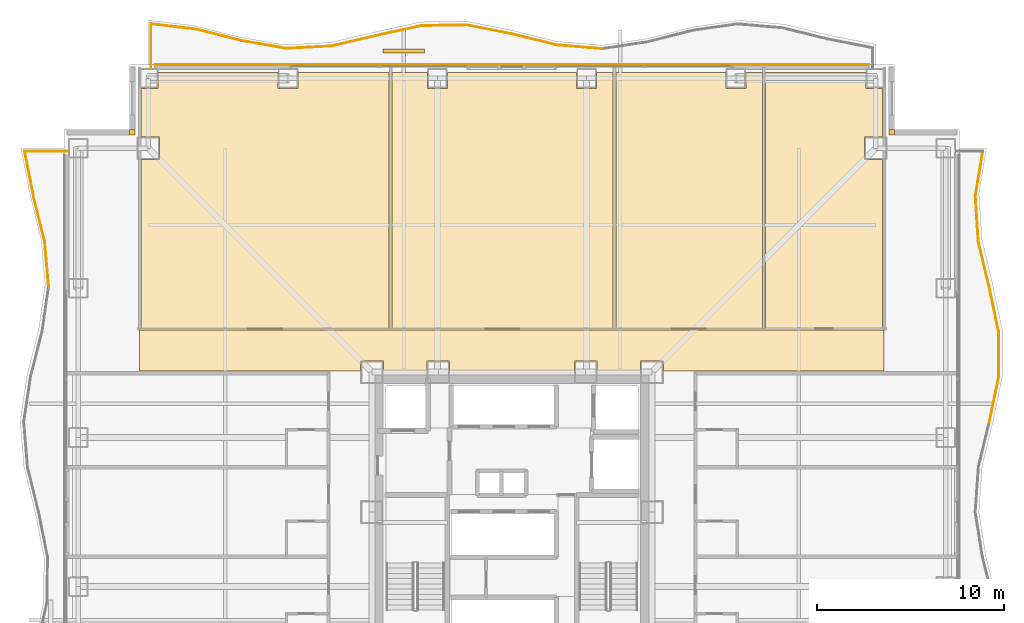
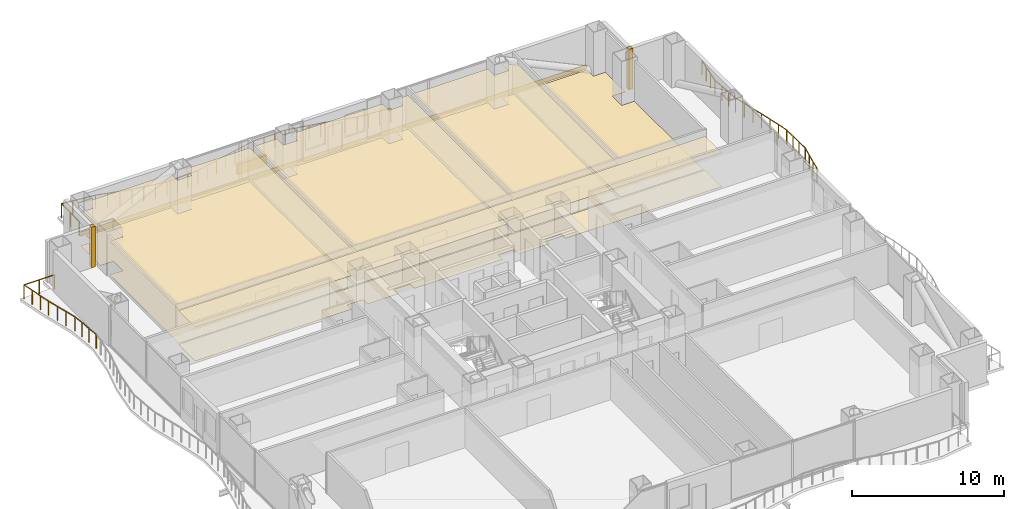
# One storey, part 23 of 24: 21 railings, 12 coverings, 1 shading device.
"""IFC4 building model written with IfcOpenShell, lengths in metres."""

from ifc_helpers import new_model, si_unit, direction, frame, frame_2d, origin, origin_2d, place, context, subcontext, project, spatial, polyline, rectangle, circle, outline, extrude, material, layer, layer_set, type_object, element, save


model = new_model("IFC4")

# Units and contexts
model_context = context("Model", 3, precision=1e-05, world=origin(), true_north=direction((0.0, 1.0)))
body_context = subcontext(model_context, "Body", "Model", "MODEL_VIEW")
ifc_project = project(units=[si_unit("LENGTHUNIT", "METRE"), si_unit("AREAUNIT", "SQUARE_METRE"), si_unit("VOLUMEUNIT", "CUBIC_METRE"), si_unit("PLANEANGLEUNIT", "RADIAN"), si_unit("MASSUNIT", "GRAM", prefix="KILO")], contexts=[model_context])

# Site, building, storey
site_placement = place(None, origin())
site = spatial("IfcSite", under=ifc_project, at=site_placement, CompositionType="ELEMENT")
building_placement = place(site_placement, origin())
building = spatial("IfcBuilding", under=site, at=building_placement, Name="Trevonay Congress Spire", CompositionType="ELEMENT")
storey_placement = place(building_placement, frame((0.0, 0.0, 55.0)))
storey = spatial("IfcBuildingStorey", under=building, at=storey_placement, Name="L13", CompositionType="ELEMENT", Elevation=55.0)

# Coverings
ifc_material_1 = material(Name="Acoustic Mineral Fibre Board", Category="gypsum")
ifc_layer_1 = layer(ifc_material_1, 0.02490234375, Name="Acoustic Mineral Fibre Board")
ifc_layer_set_1 = layer_set([ifc_layer_1], Name="Acoustic Mineral Fibre Board")
covering_type_1 = type_object("IfcCoveringType", Name="COV-CEIL-ACOUSTIC", PredefinedType="CEILING", material=ifc_layer_set_1)
covering_1_placement = place(storey_placement, frame((0.0, 0.0, 2.699951171875)))
element("IfcCovering", 1, at=covering_1_placement, inside=storey, type_object=covering_type_1, Name="L13 Hotel Floor Corridor North acoustic suspended ceiling", PredefinedType="CEILING", context=body_context, shape_type="SweptSolid", body=[
    extrude(outline(polyline([(-19.949951171875, 7.550048828125), (-19.949951171875, 9.75), (19.949951171875, 9.75), (19.949951171875, 7.550048828125), (8.110107421875, 7.550048828125), (8.110107421875, 8.110107421875), (6.889892578125, 8.110107421875), (6.889892578125, 7.550048828125), (4.56005859375, 7.550048828125), (4.56005859375, 8.110107421875), (3.340087890625, 8.110107421875), (3.340087890625, 7.550048828125), (-3.340087890625, 7.550048828125), (-3.340087890625, 8.110107421875), (-4.56005859375, 8.110107421875), (-4.56005859375, 7.550048828125), (-6.889892578125, 7.550048828125), (-6.889892578125, 8.110107421875), (-8.110107421875, 8.110107421875), (-8.110107421875, 7.550048828125), (-19.949951171875, 7.550048828125)])), origin(), (0.0, 0.0, 1.0), 0.025146484375),
])
covering_2_placement = place(storey_placement, frame((0.0, 0.0, 2.699951171875)))
element("IfcCovering", 2, at=covering_2_placement, inside=storey, type_object=covering_type_1, Name="L13 Hotel Wellness Fitness Gym acoustic suspended ceiling", PredefinedType="CEILING", context=body_context, shape_type="SweptSolid", body=[
    extrude(outline(polyline([(-6.580078125, 23.550048828125), (-6.580078125, 9.830078125), (-19.8701171875, 9.830078125), (-19.8701171875, 18.889892578125), (-18.889892578125, 18.889892578125), (-18.889892578125, 20.110107421875), (-19.8701171875, 20.110107421875), (-19.8701171875, 22.715087890625), (-18.965087890625, 22.715087890625), (-18.965087890625, 23.550048828125), (-12.534912109375, 23.550048828125), (-12.534912109375, 22.715087890625), (-11.465087890625, 22.715087890625), (-11.465087890625, 23.550048828125), (-6.580078125, 23.550048828125)])), origin(), (0.0, 0.0, 1.0), 0.025146484375),
])
covering_3_placement = place(storey_placement, frame((0.0, 0.0, 2.699951171875)))
element("IfcCovering", 3, at=covering_3_placement, inside=storey, type_object=covering_type_1, Name="L13 Garden Terrace Brasserie Dining acoustic suspended ceiling", PredefinedType="CEILING", context=body_context, shape_type="SweptSolid", body=[
    extrude(outline(polyline([(5.419921875, 23.550048828125), (5.419921875, 9.830078125), (-6.419921875, 9.830078125), (-6.419921875, 23.550048828125), (-4.534912109375, 23.550048828125), (-4.534912109375, 22.715087890625), (-3.465087890625, 22.715087890625), (-3.465087890625, 23.550048828125), (3.465087890625, 23.550048828125), (3.465087890625, 22.715087890625), (4.534912109375, 22.715087890625), (4.534912109375, 23.550048828125), (5.419921875, 23.550048828125)])), origin(), (0.0, 0.0, 1.0), 0.025146484375),
])
covering_4_placement = place(storey_placement, frame((0.0, 0.0, 2.699951171875)))
element("IfcCovering", 4, at=covering_4_placement, inside=storey, type_object=covering_type_1, Name="L13 Brasserie Show Kitchen acoustic suspended ceiling", PredefinedType="CEILING", context=body_context, shape_type="SweptSolid", body=[
    extrude(outline(polyline([(13.419921875, 23.550048828125), (13.419921875, 9.830078125), (5.580078125, 9.830078125), (5.580078125, 23.550048828125), (11.465087890625, 23.550048828125), (11.465087890625, 22.715087890625), (12.534912109375, 22.715087890625), (12.534912109375, 23.550048828125), (13.419921875, 23.550048828125)])), origin(), (0.0, 0.0, 1.0), 0.025146484375),
])
ifc_material_2 = material(Name="Polished Granite Floor Tile", Category="masonry")
ifc_layer_2 = layer(ifc_material_2, 0.02001953125, Name="Polished Granite Floor Tile")
ifc_layer_set_2 = layer_set([ifc_layer_2], Name="Polished Granite Floor Tile")
covering_type_2 = type_object("IfcCoveringType", Name="COV-FLOOR-STONE", PredefinedType="FLOORING", material=ifc_layer_set_2)
covering_5_placement = place(storey_placement, origin())
element("IfcCovering", 5, at=covering_5_placement, inside=storey, type_object=covering_type_2, Name="L13 Hotel Floor Corridor North floor finish", PredefinedType="FLOORING", context=body_context, shape_type="SweptSolid", body=[
    extrude(outline(polyline([(-19.949951171875, 7.550048828125), (-19.949951171875, 9.75), (19.949951171875, 9.75), (19.949951171875, 7.550048828125), (8.110107421875, 7.550048828125), (8.110107421875, 8.110107421875), (6.889892578125, 8.110107421875), (6.889892578125, 7.550048828125), (4.56005859375, 7.550048828125), (4.56005859375, 8.110107421875), (3.340087890625, 8.110107421875), (3.340087890625, 7.550048828125), (-3.340087890625, 7.550048828125), (-3.340087890625, 8.110107421875), (-4.56005859375, 8.110107421875), (-4.56005859375, 7.550048828125), (-6.889892578125, 7.550048828125), (-6.889892578125, 8.110107421875), (-8.110107421875, 8.110107421875), (-8.110107421875, 7.550048828125), (-19.949951171875, 7.550048828125)])), origin(), (0.0, 0.0, 1.0), 0.02001953125),
])
covering_6_placement = place(storey_placement, origin())
element("IfcCovering", 6, at=covering_6_placement, inside=storey, type_object=covering_type_2, Name="L13 Garden Terrace Brasserie Dining floor finish", PredefinedType="FLOORING", context=body_context, shape_type="SweptSolid", body=[
    extrude(outline(polyline([(5.419921875, 23.550048828125), (5.419921875, 9.830078125), (-6.419921875, 9.830078125), (-6.419921875, 23.550048828125), (-4.534912109375, 23.550048828125), (-4.534912109375, 22.715087890625), (-3.465087890625, 22.715087890625), (-3.465087890625, 23.550048828125), (3.465087890625, 23.550048828125), (3.465087890625, 22.715087890625), (4.534912109375, 22.715087890625), (4.534912109375, 23.550048828125), (5.419921875, 23.550048828125)])), origin(), (0.0, 0.0, 1.0), 0.02001953125),
])
covering_7_placement = place(storey_placement, origin())
element("IfcCovering", 7, at=covering_7_placement, inside=storey, type_object=covering_type_2, Name="L13 Brasserie Show Kitchen floor finish", PredefinedType="FLOORING", context=body_context, shape_type="SweptSolid", body=[
    extrude(outline(polyline([(13.419921875, 23.550048828125), (13.419921875, 9.830078125), (5.580078125, 9.830078125), (5.580078125, 23.550048828125), (11.465087890625, 23.550048828125), (11.465087890625, 22.715087890625), (12.534912109375, 22.715087890625), (12.534912109375, 23.550048828125), (13.419921875, 23.550048828125)])), origin(), (0.0, 0.0, 1.0), 0.02001953125),
])
covering_8_placement = place(storey_placement, origin())
element("IfcCovering", 8, at=covering_8_placement, inside=storey, type_object=covering_type_2, Name="L13 Housekeeping and Linen Room floor finish", PredefinedType="FLOORING", context=body_context, shape_type="SweptSolid", body=[
    extrude(outline(polyline([(19.8701171875, 9.830078125), (13.580078125, 9.830078125), (13.580078125, 23.550048828125), (18.965087890625, 23.550048828125), (18.965087890625, 22.715087890625), (19.8701171875, 22.715087890625), (19.8701171875, 20.110107421875), (18.889892578125, 20.110107421875), (18.889892578125, 18.889892578125), (19.8701171875, 18.889892578125), (19.8701171875, 9.830078125)])), origin(), (0.0, 0.0, 1.0), 0.02001953125),
])
ifc_material_3 = material(Name="Engineered Oak Flooring", Category="wood")
ifc_layer_3 = layer(ifc_material_3, 0.01806640625, Name="Engineered Oak Flooring")
ifc_layer_set_3 = layer_set([ifc_layer_3], Name="Engineered Oak Flooring")
covering_type_3 = type_object("IfcCoveringType", Name="COV-FLOOR-TIMBER", PredefinedType="FLOORING", material=ifc_layer_set_3)
covering_9_placement = place(storey_placement, origin())
element("IfcCovering", 9, at=covering_9_placement, inside=storey, type_object=covering_type_3, Name="L13 Hotel Wellness Fitness Gym floor finish", PredefinedType="FLOORING", context=body_context, shape_type="SweptSolid", body=[
    extrude(outline(polyline([(-6.580078125, 23.550048828125), (-6.580078125, 9.830078125), (-19.8701171875, 9.830078125), (-19.8701171875, 18.889892578125), (-18.889892578125, 18.889892578125), (-18.889892578125, 20.110107421875), (-19.8701171875, 20.110107421875), (-19.8701171875, 22.715087890625), (-18.965087890625, 22.715087890625), (-18.965087890625, 23.550048828125), (-12.534912109375, 23.550048828125), (-12.534912109375, 22.715087890625), (-11.465087890625, 22.715087890625), (-11.465087890625, 23.550048828125), (-6.580078125, 23.550048828125)])), origin(), (0.0, 0.0, 1.0), 0.01806640625),
])
ifc_material_4 = material(Name="Pale Anodised Aluminium EN AW-6063-T6", Category="aluminium")
ifc_layer_4 = layer(ifc_material_4, 0.0400390625, Name="Pale Anodised Aluminium EN AW-6063-T6")
ifc_layer_set_4 = layer_set([ifc_layer_4], Name="Pale Anodised Aluminium EN AW-6063-T6")
covering_type_4 = type_object("IfcCoveringType", Name="COV-SPANDREL-PALE-METAL", PredefinedType="CLADDING", material=ifc_layer_set_4)
covering_10_placement = place(storey_placement, frame((-19.14990234375, 23.97998046875, -0.239990234375), z_axis=(0.0, 0.0, 1.0), x_axis=(1.0, 0.0, 0.0)))
element("IfcCovering", 10, at=covering_10_placement, inside=storey, type_object=covering_type_4, Name="L13 N pale-metal slab-edge spandrel cladding", PredefinedType="CLADDING", context=body_context, shape_type="SweptSolid", body=[
    extrude(rectangle(XDim=38.2998046875, YDim=0.0400390625, at=frame_2d((19.14990234375, 0.0))), origin(), (0.0, 0.0, 1.0), 0.360107421875),
])
covering_11_placement = place(storey_placement, origin())
element("IfcCovering", 11, at=covering_11_placement, inside=storey, type_object=covering_type_4, Name="L13 NE re-entrant notch corner closure trim", PredefinedType="CLADDING", context=body_context, shape_type="SweptSolid", body=[
    extrude(outline(polyline([(20.199951171875, 20.199951171875), (20.5, 20.199951171875), (20.5, 20.5), (20.199951171875, 20.5), (20.199951171875, 20.199951171875)])), origin(), (0.0, 0.0, 1.0), 3.25),
])
covering_12_placement = place(storey_placement, origin())
element("IfcCovering", 12, at=covering_12_placement, inside=storey, type_object=covering_type_4, Name="L13 NW re-entrant notch corner closure trim", PredefinedType="CLADDING", context=body_context, shape_type="SweptSolid", body=[
    extrude(outline(polyline([(-20.5, 20.199951171875), (-20.199951171875, 20.199951171875), (-20.199951171875, 20.5), (-20.5, 20.5), (-20.5, 20.199951171875)])), origin(), (0.0, 0.0, 1.0), 3.25),
])

# Railings
railing_type = type_object("IfcRailingType", Name="RAL-EXT-GUARD-115", PredefinedType="GUARDRAIL", material=ifc_material_4)
railing_1_placement = place(storey_placement, frame((4.8359375, 24.83203125, 0.0)))
element("IfcRailing", 13, at=railing_1_placement, inside=storey, type_object=railing_type, Name="L13 perimeter safety guard GRD-L13-WAV-N-24", PredefinedType="GUARDRAIL", context=body_context, shape_type="SweptSolid", body=[
    extrude(circle(Radius=0.02392578125, at=origin_2d()), frame((0.0, 0.0, 1.1259765625), z_axis=(-0.996598299087, 0.082412561284, 0.0), x_axis=(-0.082412561284, -0.996598299087, 0.0)), (0.0, 0.0, 1.0), 2.42626953125),
    extrude(circle(Radius=0.02099609375, at=origin_2d()), origin(), (0.0, 0.0, 1.0), 1.101806640625),
    extrude(circle(Radius=0.02099609375, at=origin_2d()), frame((-0.805908203125, 0.066650390625, 0.0)), (0.0, 0.0, 1.0), 1.101806640625),
    extrude(circle(Radius=0.02099609375, at=origin_2d()), frame((-1.612060546875, 0.13330078125, 0.0)), (0.0, 0.0, 1.0), 1.101806640625),
    extrude(circle(Radius=0.02099609375, at=origin_2d()), frame((-2.41796875, 0.199951171875, 0.0)), (0.0, 0.0, 1.0), 1.101806640625),
])
railing_2_placement = place(storey_placement, frame((2.41796875, 25.031982421875, 0.0)))
element("IfcRailing", 14, at=railing_2_placement, inside=storey, type_object=railing_type, Name="L13 perimeter safety guard GRD-L13-WAV-N-25", PredefinedType="GUARDRAIL", context=body_context, shape_type="SweptSolid", body=[
    extrude(circle(Radius=0.02392578125, at=origin_2d()), frame((0.0, 0.0, 1.1259765625), z_axis=(-0.971217264938, 0.238195349004, 0.0), x_axis=(-0.238195349004, -0.971217264938, 0.0)), (0.0, 0.0, 1.0), 2.48974609375),
    extrude(circle(Radius=0.02099609375, at=origin_2d()), origin(), (0.0, 0.0, 1.0), 1.101806640625),
    extrude(circle(Radius=0.02099609375, at=origin_2d()), frame((-0.805908203125, 0.19775390625, 0.0)), (0.0, 0.0, 1.0), 1.101806640625),
    extrude(circle(Radius=0.02099609375, at=origin_2d()), frame((-1.612060546875, 0.395263671875, 0.0)), (0.0, 0.0, 1.0), 1.101806640625),
    extrude(circle(Radius=0.02099609375, at=origin_2d()), frame((-2.41796875, 0.593017578125, 0.0)), (0.0, 0.0, 1.0), 1.101806640625),
])
railing_3_placement = place(storey_placement, frame((0.0, 25.625, 0.0)))
element("IfcRailing", 15, at=railing_3_placement, inside=storey, type_object=railing_type, Name="L13 perimeter safety guard GRD-L13-WAV-N-26", PredefinedType="GUARDRAIL", context=body_context, shape_type="SweptSolid", body=[
    extrude(circle(Radius=0.02392578125, at=origin_2d()), frame((0.0, 0.0, 1.1259765625), z_axis=(-0.980785812595, 0.195087646488, 0.0), x_axis=(-0.195087646488, -0.980785812595, 0.0)), (0.0, 0.0, 1.0), 2.46533203125),
    extrude(circle(Radius=0.02099609375, at=origin_2d()), origin(), (0.0, 0.0, 1.0), 1.101806640625),
    extrude(circle(Radius=0.02099609375, at=origin_2d()), frame((-0.805908203125, 0.160400390625, 0.0)), (0.0, 0.0, 1.0), 1.101806640625),
    extrude(circle(Radius=0.02099609375, at=origin_2d()), frame((-1.612060546875, 0.320556640625, 0.0)), (0.0, 0.0, 1.0), 1.101806640625),
    extrude(circle(Radius=0.02099609375, at=origin_2d()), frame((-2.41796875, 0.48095703125, 0.0)), (0.0, 0.0, 1.0), 1.101806640625),
])
railing_4_placement = place(storey_placement, frame((-2.41796875, 26.10595703125, 0.0)))
element("IfcRailing", 16, at=railing_4_placement, inside=storey, type_object=railing_type, Name="L13 perimeter safety guard GRD-L13-WAV-N-27", PredefinedType="GUARDRAIL", context=body_context, shape_type="SweptSolid", body=[
    extrude(circle(Radius=0.02392578125, at=origin_2d()), frame((0.0, 0.0, 1.1259765625), z_axis=(-0.999883794434, -0.015244593393, 0.0), x_axis=(0.015244593393, -0.999883794434, 0.0)), (0.0, 0.0, 1.0), 2.418212890625),
    extrude(circle(Radius=0.02099609375, at=origin_2d()), origin(), (0.0, 0.0, 1.0), 1.101806640625),
    extrude(circle(Radius=0.02099609375, at=origin_2d()), frame((-0.805908203125, -0.01220703125, 0.0)), (0.0, 0.0, 1.0), 1.101806640625),
    extrude(circle(Radius=0.02099609375, at=origin_2d()), frame((-1.612060546875, -0.024658203125, 0.0)), (0.0, 0.0, 1.0), 1.101806640625),
    extrude(circle(Radius=0.02099609375, at=origin_2d()), frame((-2.41796875, -0.036865234375, 0.0)), (0.0, 0.0, 1.0), 1.101806640625),
])
railing_5_placement = place(storey_placement, frame((-4.8359375, 26.069091796875, 0.0)))
element("IfcRailing", 17, at=railing_5_placement, inside=storey, type_object=railing_type, Name="L13 perimeter safety guard GRD-L13-WAV-N-28", PredefinedType="GUARDRAIL", context=body_context, shape_type="SweptSolid", body=[
    extrude(circle(Radius=0.02392578125, at=origin_2d()), frame((0.0, 0.0, 1.1259765625), z_axis=(-0.977218199153, -0.212237110902, 0.0), x_axis=(0.212237110902, -0.977218199153, 0.0)), (0.0, 0.0, 1.0), 2.474365234375),
    extrude(circle(Radius=0.02099609375, at=origin_2d()), origin(), (0.0, 0.0, 1.0), 1.101806640625),
    extrude(circle(Radius=0.02099609375, at=origin_2d()), frame((-0.805908203125, -0.175048828125, 0.0)), (0.0, 0.0, 1.0), 1.101806640625),
    extrude(circle(Radius=0.02099609375, at=origin_2d()), frame((-1.612060546875, -0.35009765625, 0.0)), (0.0, 0.0, 1.0), 1.101806640625),
    extrude(circle(Radius=0.02099609375, at=origin_2d()), frame((-2.41796875, -0.525146484375, 0.0)), (0.0, 0.0, 1.0), 1.101806640625),
])
railing_6_placement = place(storey_placement, frame((-7.25390625, 25.5439453125, 0.0)))
element("IfcRailing", 18, at=railing_6_placement, inside=storey, type_object=railing_type, Name="L13 perimeter safety guard GRD-L13-WAV-N-29", PredefinedType="GUARDRAIL", context=body_context, shape_type="SweptSolid", body=[
    extrude(circle(Radius=0.02392578125, at=origin_2d()), frame((0.0, 0.0, 1.1259765625), z_axis=(-0.9736050491, -0.228239366382, 0.0), x_axis=(0.228239366382, -0.9736050491, 0.0)), (0.0, 0.0, 1.0), 2.48388671875),
    extrude(circle(Radius=0.02099609375, at=origin_2d()), origin(), (0.0, 0.0, 1.0), 1.101806640625),
    extrude(circle(Radius=0.02099609375, at=origin_2d()), frame((-0.80615234375, -0.18896484375, 0.0)), (0.0, 0.0, 1.0), 1.101806640625),
    extrude(circle(Radius=0.02099609375, at=origin_2d()), frame((-1.612060546875, -0.3779296875, 0.0)), (0.0, 0.0, 1.0), 1.101806640625),
    extrude(circle(Radius=0.02099609375, at=origin_2d()), frame((-2.418212890625, -0.56689453125, 0.0)), (0.0, 0.0, 1.0), 1.101806640625),
])
railing_7_placement = place(storey_placement, frame((-9.672119140625, 24.97705078125, 0.0)))
element("IfcRailing", 19, at=railing_7_placement, inside=storey, type_object=railing_type, Name="L13 perimeter safety guard GRD-L13-WAV-N-30", PredefinedType="GUARDRAIL", context=body_context, shape_type="SweptSolid", body=[
    extrude(circle(Radius=0.02392578125, at=origin_2d()), frame((0.0, 0.0, 1.1259765625), z_axis=(-0.998603307795, -0.05283401992, 0.0), x_axis=(0.05283401992, -0.998603307795, 0.0)), (0.0, 0.0, 1.0), 2.42138671875),
    extrude(circle(Radius=0.02099609375, at=origin_2d()), origin(), (0.0, 0.0, 1.0), 1.101806640625),
    extrude(circle(Radius=0.02099609375, at=origin_2d()), frame((-0.805908203125, -0.042724609375, 0.0)), (0.0, 0.0, 1.0), 1.101806640625),
    extrude(circle(Radius=0.02099609375, at=origin_2d()), frame((-1.612060546875, -0.085205078125, 0.0)), (0.0, 0.0, 1.0), 1.101806640625),
    extrude(circle(Radius=0.02099609375, at=origin_2d()), frame((-2.41796875, -0.1279296875, 0.0)), (0.0, 0.0, 1.0), 1.101806640625),
])
railing_8_placement = place(storey_placement, frame((-12.090087890625, 24.84912109375, 0.0)))
element("IfcRailing", 20, at=railing_8_placement, inside=storey, type_object=railing_type, Name="L13 perimeter safety guard GRD-L13-WAV-N-31", PredefinedType="GUARDRAIL", context=body_context, shape_type="SweptSolid", body=[
    extrude(circle(Radius=0.02392578125, at=origin_2d()), frame((0.0, 0.0, 1.1259765625), z_axis=(-0.985252614073, 0.171106067872, 0.0), x_axis=(-0.171106067872, -0.985252614073, 0.0)), (0.0, 0.0, 1.0), 2.4541015625),
    extrude(circle(Radius=0.02099609375, at=origin_2d()), origin(), (0.0, 0.0, 1.0), 1.101806640625),
    extrude(circle(Radius=0.02099609375, at=origin_2d()), frame((-0.805908203125, 0.139892578125, 0.0)), (0.0, 0.0, 1.0), 1.101806640625),
    extrude(circle(Radius=0.02099609375, at=origin_2d()), frame((-1.612060546875, 0.280029296875, 0.0)), (0.0, 0.0, 1.0), 1.101806640625),
    extrude(circle(Radius=0.02099609375, at=origin_2d()), frame((-2.41796875, 0.419921875, 0.0)), (0.0, 0.0, 1.0), 1.101806640625),
])
railing_9_placement = place(storey_placement, frame((-14.508056640625, 25.26904296875, 0.0)))
element("IfcRailing", 21, at=railing_9_placement, inside=storey, type_object=railing_type, Name="L13 perimeter safety guard GRD-L13-WAV-N-32", PredefinedType="GUARDRAIL", context=body_context, shape_type="SweptSolid", body=[
    extrude(circle(Radius=0.02392578125, at=origin_2d()), frame((0.0, 0.0, 1.1259765625), z_axis=(-0.969540662571, 0.24493040567, 0.0), x_axis=(-0.24493040567, -0.969540662571, 0.0)), (0.0, 0.0, 1.0), 2.493896484375),
    extrude(circle(Radius=0.02099609375, at=origin_2d()), origin(), (0.0, 0.0, 1.0), 1.101806640625),
    extrude(circle(Radius=0.02099609375, at=origin_2d()), frame((-0.805908203125, 0.20361328125, 0.0)), (0.0, 0.0, 1.0), 1.101806640625),
    extrude(circle(Radius=0.02099609375, at=origin_2d()), frame((-1.612060546875, 0.4072265625, 0.0)), (0.0, 0.0, 1.0), 1.101806640625),
    extrude(circle(Radius=0.02099609375, at=origin_2d()), frame((-2.41796875, 0.61083984375, 0.0)), (0.0, 0.0, 1.0), 1.101806640625),
])
railing_10_placement = place(storey_placement, frame((-16.926025390625, 25.8798828125, 0.0)))
element("IfcRailing", 22, at=railing_10_placement, inside=storey, type_object=railing_type, Name="L13 perimeter safety guard GRD-L13-WAV-N-33", PredefinedType="GUARDRAIL", context=body_context, shape_type="SweptSolid", body=[
    extrude(circle(Radius=0.02392578125, at=origin_2d()), frame((0.0, 0.0, 1.1259765625), z_axis=(-0.993164287486, 0.11672488193, 0.0), x_axis=(-0.11672488193, -0.993164287486, 0.0)), (0.0, 0.0, 1.0), 2.4345703125),
    extrude(circle(Radius=0.02099609375, at=origin_2d()), origin(), (0.0, 0.0, 1.0), 1.101806640625),
    extrude(circle(Radius=0.02099609375, at=origin_2d()), frame((-0.805908203125, 0.0947265625, 0.0)), (0.0, 0.0, 1.0), 1.101806640625),
    extrude(circle(Radius=0.02099609375, at=origin_2d()), frame((-1.612060546875, 0.189453125, 0.0)), (0.0, 0.0, 1.0), 1.101806640625),
    extrude(circle(Radius=0.02099609375, at=origin_2d()), frame((-2.41796875, 0.2841796875, 0.0)), (0.0, 0.0, 1.0), 1.101806640625),
])
railing_11_placement = place(storey_placement, frame((-19.343994140625, 26.1640625, 0.0)))
element("IfcRailing", 23, at=railing_11_placement, inside=storey, type_object=railing_type, Name="L13 perimeter safety guard GRD-L13-WAV-N-34", PredefinedType="GUARDRAIL", context=body_context, shape_type="SweptSolid", body=[
    extrude(circle(Radius=0.02392578125, at=origin_2d()), frame((0.0, 0.0, 1.1259765625), z_axis=(0.0, -1.0, 0.0), x_axis=(1.0, 0.0, 0.0)), (0.0, 0.0, 1.0), 2.35595703125),
    extrude(circle(Radius=0.02099609375, at=origin_2d()), origin(), (0.0, 0.0, 1.0), 1.101806640625),
    extrude(circle(Radius=0.02099609375, at=origin_2d()), frame((0.0, -1.177978515625, 0.0)), (0.0, 0.0, 1.0), 1.101806640625),
    extrude(circle(Radius=0.02099609375, at=origin_2d()), frame((0.0, -2.35595703125, 0.0)), (0.0, 0.0, 1.0), 1.101806640625),
])
railing_12_placement = place(storey_placement, frame((25.593017578125, 4.8359375, 0.0)))
element("IfcRailing", 24, at=railing_12_placement, inside=storey, type_object=railing_type, Name="L13 perimeter safety guard GRD-L13-WAV-E-11", PredefinedType="GUARDRAIL", context=body_context, shape_type="SweptSolid", body=[
    extrude(circle(Radius=0.02392578125, at=origin_2d()), frame((0.0, 0.0, 1.1259765625), z_axis=(0.202500975451, 0.979282060972, 0.0), x_axis=(-0.979282060972, 0.202500975451, 0.0)), (0.0, 0.0, 1.0), 2.46923828125),
    extrude(circle(Radius=0.02099609375, at=origin_2d()), origin(), (0.0, 0.0, 1.0), 1.101806640625),
    extrude(circle(Radius=0.02099609375, at=origin_2d()), frame((0.166748046875, 0.805908203125, 0.0)), (0.0, 0.0, 1.0), 1.101806640625),
    extrude(circle(Radius=0.02099609375, at=origin_2d()), frame((0.333251953125, 1.612060546875, 0.0)), (0.0, 0.0, 1.0), 1.101806640625),
    extrude(circle(Radius=0.02099609375, at=origin_2d()), frame((0.5, 2.41796875, 0.0)), (0.0, 0.0, 1.0), 1.101806640625),
])
railing_13_placement = place(storey_placement, frame((26.093017578125, 7.25390625, 0.0)))
element("IfcRailing", 25, at=railing_13_placement, inside=storey, type_object=railing_type, Name="L13 perimeter safety guard GRD-L13-WAV-E-12", PredefinedType="GUARDRAIL", context=body_context, shape_type="SweptSolid", body=[
    extrude(circle(Radius=0.02392578125, at=origin_2d()), frame((0.0, 0.0, 1.1259765625), z_axis=(-0.003331632191, 0.999994450098, 0.0), x_axis=(-0.999994450098, -0.003331632191, 0.0)), (0.0, 0.0, 1.0), 2.418212890625),
    extrude(circle(Radius=0.02099609375, at=origin_2d()), origin(), (0.0, 0.0, 1.0), 1.101806640625),
    extrude(circle(Radius=0.02099609375, at=origin_2d()), frame((-0.002685546875, 0.80615234375, 0.0)), (0.0, 0.0, 1.0), 1.101806640625),
    extrude(circle(Radius=0.02099609375, at=origin_2d()), frame((-0.00537109375, 1.612060546875, 0.0)), (0.0, 0.0, 1.0), 1.101806640625),
    extrude(circle(Radius=0.02099609375, at=origin_2d()), frame((-0.008056640625, 2.418212890625, 0.0)), (0.0, 0.0, 1.0), 1.101806640625),
])
railing_14_placement = place(storey_placement, frame((26.0849609375, 9.672119140625, 0.0)))
element("IfcRailing", 26, at=railing_14_placement, inside=storey, type_object=railing_type, Name="L13 perimeter safety guard GRD-L13-WAV-E-13", PredefinedType="GUARDRAIL", context=body_context, shape_type="SweptSolid", body=[
    extrude(circle(Radius=0.02392578125, at=origin_2d()), frame((0.0, 0.0, 1.1259765625), z_axis=(-0.206005501556, 0.978550833288, 0.0), x_axis=(-0.978550833288, -0.206005501556, 0.0)), (0.0, 0.0, 1.0), 2.470947265625),
    extrude(circle(Radius=0.02099609375, at=origin_2d()), origin(), (0.0, 0.0, 1.0), 1.101806640625),
    extrude(circle(Radius=0.02099609375, at=origin_2d()), frame((-0.169677734375, 0.805908203125, 0.0)), (0.0, 0.0, 1.0), 1.101806640625),
    extrude(circle(Radius=0.02099609375, at=origin_2d()), frame((-0.33935546875, 1.612060546875, 0.0)), (0.0, 0.0, 1.0), 1.101806640625),
    extrude(circle(Radius=0.02099609375, at=origin_2d()), frame((-0.509033203125, 2.41796875, 0.0)), (0.0, 0.0, 1.0), 1.101806640625),
])
railing_15_placement = place(storey_placement, frame((25.575927734375, 12.090087890625, 0.0)))
element("IfcRailing", 27, at=railing_15_placement, inside=storey, type_object=railing_type, Name="L13 perimeter safety guard GRD-L13-WAV-E-14", PredefinedType="GUARDRAIL", context=body_context, shape_type="SweptSolid", body=[
    extrude(circle(Radius=0.02392578125, at=origin_2d()), frame((0.0, 0.0, 1.1259765625), z_axis=(-0.23244800934, 0.972608823194, 0.0), x_axis=(-0.972608823194, -0.23244800934, 0.0)), (0.0, 0.0, 1.0), 2.486083984375),
    extrude(circle(Radius=0.02099609375, at=origin_2d()), origin(), (0.0, 0.0, 1.0), 1.101806640625),
    extrude(circle(Radius=0.02099609375, at=origin_2d()), frame((-0.192626953125, 0.805908203125, 0.0)), (0.0, 0.0, 1.0), 1.101806640625),
    extrude(circle(Radius=0.02099609375, at=origin_2d()), frame((-0.38525390625, 1.612060546875, 0.0)), (0.0, 0.0, 1.0), 1.101806640625),
    extrude(circle(Radius=0.02099609375, at=origin_2d()), frame((-0.577880859375, 2.41796875, 0.0)), (0.0, 0.0, 1.0), 1.101806640625),
])
railing_16_placement = place(storey_placement, frame((24.998046875, 14.508056640625, 0.0)))
element("IfcRailing", 28, at=railing_16_placement, inside=storey, type_object=railing_type, Name="L13 perimeter safety guard GRD-L13-WAV-E-15", PredefinedType="GUARDRAIL", context=body_context, shape_type="SweptSolid", body=[
    extrude(circle(Radius=0.02392578125, at=origin_2d()), frame((0.0, 0.0, 1.1259765625), z_axis=(-0.064786867606, 0.997899124053, 0.0), x_axis=(-0.997899124053, -0.064786867606, 0.0)), (0.0, 0.0, 1.0), 2.423095703125),
    extrude(circle(Radius=0.02099609375, at=origin_2d()), origin(), (0.0, 0.0, 1.0), 1.101806640625),
    extrude(circle(Radius=0.02099609375, at=origin_2d()), frame((-0.05224609375, 0.805908203125, 0.0)), (0.0, 0.0, 1.0), 1.101806640625),
    extrude(circle(Radius=0.02099609375, at=origin_2d()), frame((-0.104736328125, 1.612060546875, 0.0)), (0.0, 0.0, 1.0), 1.101806640625),
    extrude(circle(Radius=0.02099609375, at=origin_2d()), frame((-0.156982421875, 2.41796875, 0.0)), (0.0, 0.0, 1.0), 1.101806640625),
])
railing_17_placement = place(storey_placement, frame((24.841064453125, 16.926025390625, 0.0)))
element("IfcRailing", 29, at=railing_17_placement, inside=storey, type_object=railing_type, Name="L13 perimeter safety guard GRD-L13-WAV-E-16", PredefinedType="GUARDRAIL", context=body_context, shape_type="SweptSolid", body=[
    extrude(circle(Radius=0.02392578125, at=origin_2d()), frame((0.0, 0.0, 1.1259765625), z_axis=(0.162007253255, 0.986789567179, 0.0), x_axis=(-0.986789567179, 0.162007253255, 0.0)), (0.0, 0.0, 1.0), 2.450439453125),
    extrude(circle(Radius=0.02099609375, at=origin_2d()), origin(), (0.0, 0.0, 1.0), 1.101806640625),
    extrude(circle(Radius=0.02099609375, at=origin_2d()), frame((0.13232421875, 0.805908203125, 0.0)), (0.0, 0.0, 1.0), 1.101806640625),
    extrude(circle(Radius=0.02099609375, at=origin_2d()), frame((0.2646484375, 1.612060546875, 0.0)), (0.0, 0.0, 1.0), 1.101806640625),
    extrude(circle(Radius=0.02099609375, at=origin_2d()), frame((0.39697265625, 2.41796875, 0.0)), (0.0, 0.0, 1.0), 1.101806640625),
])
railing_18_placement = place(storey_placement, frame((-23.80810546875, 19.343994140625, 0.0)))
element("IfcRailing", 30, at=railing_18_placement, inside=storey, type_object=railing_type, Name="L13 perimeter safety guard GRD-L13-WAV-W-17", PredefinedType="GUARDRAIL", context=body_context, shape_type="SweptSolid", body=[
    extrude(circle(Radius=0.02392578125, at=origin_2d()), frame((0.0, 0.0, 1.1259765625), z_axis=(-1.0, 0.0, 0.0), x_axis=(0.0, -1.0, 0.0)), (0.0, 0.0, 1.0), 2.304931640625),
    extrude(circle(Radius=0.02099609375, at=origin_2d()), origin(), (0.0, 0.0, 1.0), 1.101806640625),
    extrude(circle(Radius=0.02099609375, at=origin_2d()), frame((-1.15234375, 0.0, 0.0)), (0.0, 0.0, 1.0), 1.101806640625),
    extrude(circle(Radius=0.02099609375, at=origin_2d()), frame((-2.304931640625, 0.0, 0.0)), (0.0, 0.0, 1.0), 1.101806640625),
])
railing_19_placement = place(storey_placement, frame((-26.113037109375, 19.343994140625, 0.0)))
element("IfcRailing", 31, at=railing_19_placement, inside=storey, type_object=railing_type, Name="L13 perimeter safety guard GRD-L13-WAV-W-18", PredefinedType="GUARDRAIL", context=body_context, shape_type="SweptSolid", body=[
    extrude(circle(Radius=0.02392578125, at=origin_2d()), frame((0.0, 0.0, 1.1259765625), z_axis=(0.191559255821, -0.98148105, 0.0), x_axis=(0.98148105, 0.191559255821, 0.0)), (0.0, 0.0, 1.0), 2.463623046875),
    extrude(circle(Radius=0.02099609375, at=origin_2d()), origin(), (0.0, 0.0, 1.0), 1.101806640625),
    extrude(circle(Radius=0.02099609375, at=origin_2d()), frame((0.1572265625, -0.805908203125, 0.0)), (0.0, 0.0, 1.0), 1.101806640625),
    extrude(circle(Radius=0.02099609375, at=origin_2d()), frame((0.314697265625, -1.612060546875, 0.0)), (0.0, 0.0, 1.0), 1.101806640625),
    extrude(circle(Radius=0.02099609375, at=origin_2d()), frame((0.471923828125, -2.41796875, 0.0)), (0.0, 0.0, 1.0), 1.101806640625),
])
railing_20_placement = place(storey_placement, frame((-25.64111328125, 16.926025390625, 0.0)))
element("IfcRailing", 32, at=railing_20_placement, inside=storey, type_object=railing_type, Name="L13 perimeter safety guard GRD-L13-WAV-W-19", PredefinedType="GUARDRAIL", context=body_context, shape_type="SweptSolid", body=[
    extrude(circle(Radius=0.02392578125, at=origin_2d()), frame((0.0, 0.0, 1.1259765625), z_axis=(0.239397291778, -0.970921694417, 0.0), x_axis=(0.970921694417, 0.239397291778, 0.0)), (0.0, 0.0, 1.0), 2.490478515625),
    extrude(circle(Radius=0.02099609375, at=origin_2d()), origin(), (0.0, 0.0, 1.0), 1.101806640625),
    extrude(circle(Radius=0.02099609375, at=origin_2d()), frame((0.19873046875, -0.805908203125, 0.0)), (0.0, 0.0, 1.0), 1.101806640625),
    extrude(circle(Radius=0.02099609375, at=origin_2d()), frame((0.3974609375, -1.612060546875, 0.0)), (0.0, 0.0, 1.0), 1.101806640625),
    extrude(circle(Radius=0.02099609375, at=origin_2d()), frame((0.59619140625, -2.41796875, 0.0)), (0.0, 0.0, 1.0), 1.101806640625),
])
railing_21_placement = place(storey_placement, frame((-25.044921875, 14.508056640625, 0.0)))
element("IfcRailing", 33, at=railing_21_placement, inside=storey, type_object=railing_type, Name="L13 perimeter safety guard GRD-L13-WAV-W-20", PredefinedType="GUARDRAIL", context=body_context, shape_type="SweptSolid", body=[
    extrude(circle(Radius=0.02392578125, at=origin_2d()), frame((0.0, 0.0, 1.1259765625), z_axis=(0.088504311238, -0.996075793749, 0.0), x_axis=(0.996075793749, 0.088504311238, 0.0)), (0.0, 0.0, 1.0), 2.427490234375),
    extrude(circle(Radius=0.02099609375, at=origin_2d()), origin(), (0.0, 0.0, 1.0), 1.101806640625),
    extrude(circle(Radius=0.02099609375, at=origin_2d()), frame((0.071533203125, -0.805908203125, 0.0)), (0.0, 0.0, 1.0), 1.101806640625),
    extrude(circle(Radius=0.02099609375, at=origin_2d()), frame((0.143310546875, -1.612060546875, 0.0)), (0.0, 0.0, 1.0), 1.101806640625),
    extrude(circle(Radius=0.02099609375, at=origin_2d()), frame((0.21484375, -2.41796875, 0.0)), (0.0, 0.0, 1.0), 1.101806640625),
])

# Shading device
shading_device_type = type_object("IfcShadingDeviceType", Name="SHD-LOUVRE-WAVE-ALUM", PredefinedType="USERDEFINED", material=ifc_material_4)
shading_device_placement = place(storey_placement, frame((-5.800048828125, 24.719970703125, -0.01513671875), z_axis=(0.0, 0.0, 1.0), x_axis=(1.0, 0.0, 0.0)))
element("IfcShadingDevice", 34, at=shading_device_placement, inside=storey, type_object=shading_device_type, Name="L13 N sinusoidal balcony horizontal sunshade louvre", ObjectType="LOUVRE", PredefinedType="USERDEFINED", context=body_context, shape_type="SweptSolid", body=[
    extrude(rectangle(XDim=2.199951171875, YDim=0.219970703125, at=origin_2d()), origin(), (0.0, 0.0, 1.0), 0.85009765625),
])

save(model, "model.ifc")
